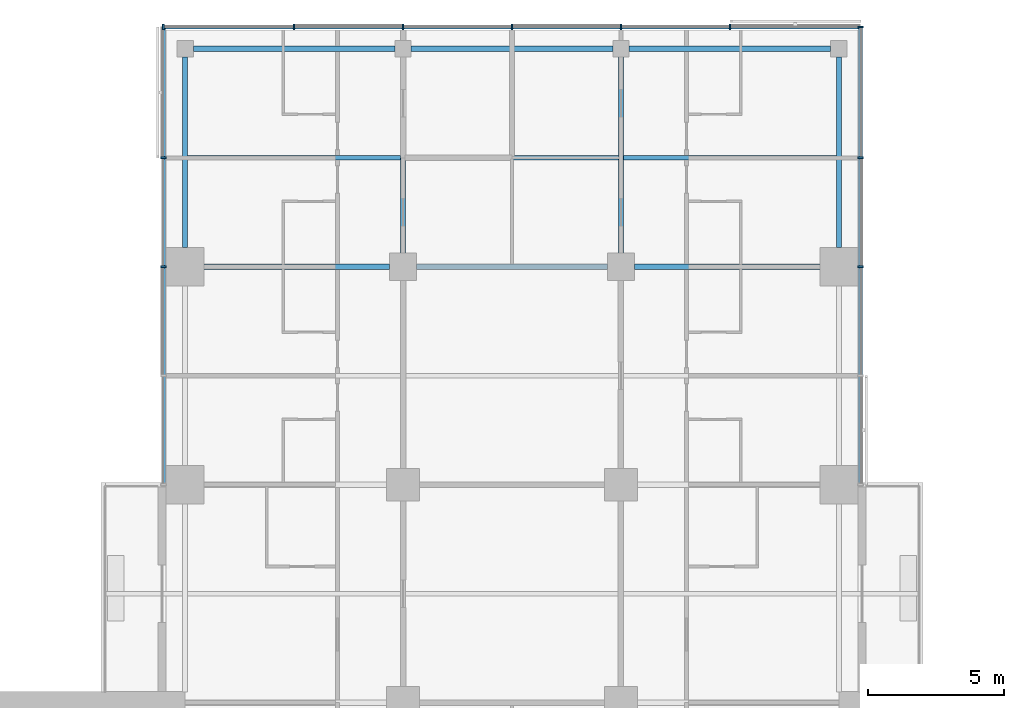
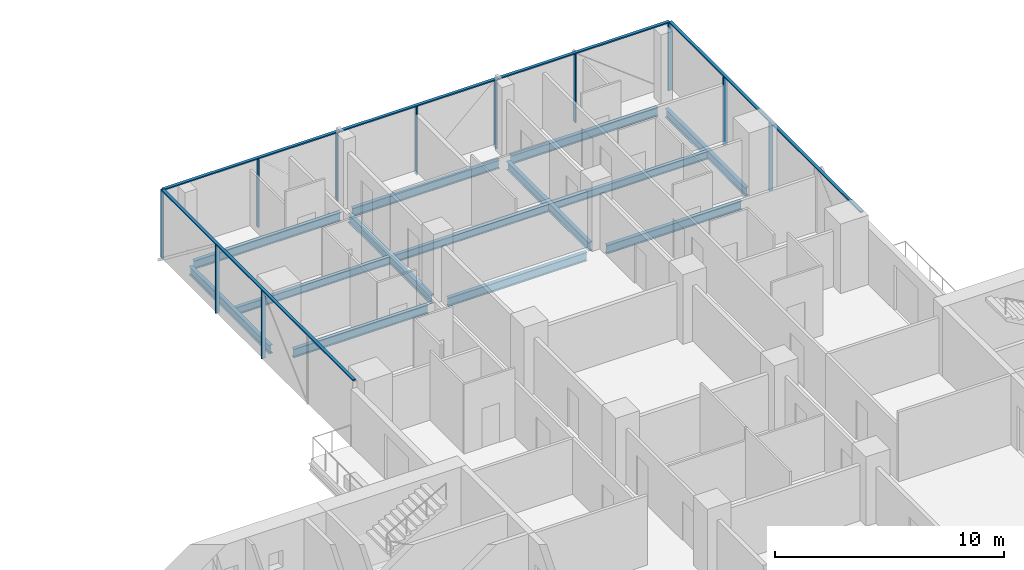
# One storey, part 12 of 29: 14 members, 13 beams, 3 elements without a shape of their own.
"""IFC4 building model written with IfcOpenShell, lengths in metres."""

from ifc_helpers import new_model, si_unit, direction, frame, origin, origin_2d, place, context, subcontext, project, spatial, rectangle, i_section, extrude, material, material_profile, profile_set, type_object, element, aggregate, save


model = new_model("IFC4")

# Units and contexts
model_context = context("Model", 3, precision=1e-05, world=origin(), true_north=direction((0.0, 1.0)))
body_context = subcontext(model_context, "Body", "Model", "MODEL_VIEW")
ifc_project = project(units=[si_unit("LENGTHUNIT", "METRE"), si_unit("AREAUNIT", "SQUARE_METRE"), si_unit("VOLUMEUNIT", "CUBIC_METRE"), si_unit("PLANEANGLEUNIT", "RADIAN"), si_unit("MASSUNIT", "GRAM", prefix="KILO")], contexts=[model_context])

# Site, building, storey
site_placement = place(None, origin())
site = spatial("IfcSite", under=ifc_project, at=site_placement, CompositionType="ELEMENT")
building_placement = place(site_placement, origin())
building = spatial("IfcBuilding", under=site, at=building_placement, Name="Crosswind Convention Tower", CompositionType="ELEMENT")
storey_placement = place(building_placement, frame((0.0, 0.0, 60.89990234375)))
storey = spatial("IfcBuildingStorey", under=building, at=storey_placement, Name="L09", CompositionType="ELEMENT", Elevation=60.89990234375)

# Beams
ifc_material_1 = material(Name="Steel S355", Category="steel")
ifc_material_profile_1 = material_profile(ifc_material_1, i_section(OverallWidth=0.1904296875, OverallDepth=0.457275390625, WebThickness=0.009033203125, FlangeThickness=0.014404296875, FilletRadius=0.01025390625, at=origin_2d()), Name="UB 457x191x75")
ifc_profile_set_1 = profile_set([ifc_material_profile_1], Name="Steel S355")
beam_type_1 = type_object("IfcBeamType", Name="Edge beam UB 457x191x75", PredefinedType="SPANDREL", material=ifc_profile_set_1)
beam_1_placement = place(storey_placement, frame((113.0, 128.699951171875, -0.508544921875), z_axis=(0.0, 1.0, 0.0), x_axis=(-1.0, 0.0, 0.0)))
element("IfcBeam", 1, at=beam_1_placement, inside=storey, type_object=beam_type_1, Name="B17 L09 edge beam 11", PredefinedType="SPANDREL", context=body_context, shape_type="SweptSolid", body=[
    extrude(i_section(OverallWidth=0.1904296875, OverallDepth=0.457275390625, WebThickness=0.009033203125, FlangeThickness=0.014404296875, FilletRadius=0.01025390625, at=origin_2d()), origin(), (0.0, 0.0, 1.0), 7.0),
])
for number, where, z_axis, x_axis, name in (
    (2, (113.300048828125, 136.0, -0.508544921875), (1.0, 0.0, 0.0), (0.0, 1.0, 0.0), "B17 L09 edge beam 13"),
    (3, (121.300048828125, 136.0, -0.508544921875), (1.0, 0.0, 0.0), (0.0, 1.0, 0.0), "B17 L09 edge beam 15"),
    (4, (129.300048828125, 136.0, -0.508544921875), (1.0, 0.0, 0.0), (0.0, 1.0, 0.0), "B17 L09 edge beam 17"),
):
    element("IfcBeam", number, at=place(storey_placement, frame(where, z_axis=z_axis, x_axis=x_axis)), inside=storey, type_object=beam_type_1, Name=name, PredefinedType="SPANDREL", context=body_context, shape_type="SweptSolid", body=[
        extrude(i_section(OverallWidth=0.1904296875, OverallDepth=0.457275390625, WebThickness=0.009033203125, FlangeThickness=0.014404296875, FilletRadius=0.01025390625, at=origin_2d()), origin(), (0.0, 0.0, 1.0), 7.39990234375),
    ])
beam_2_placement = place(storey_placement, frame((137.0, 128.699951171875, -0.508544921875), z_axis=(0.0, 1.0, 0.0), x_axis=(-1.0, 0.0, 0.0)))
element("IfcBeam", 5, at=beam_2_placement, inside=storey, type_object=beam_type_1, Name="B17 L09 edge beam 23", PredefinedType="SPANDREL", context=body_context, shape_type="SweptSolid", body=[
    extrude(i_section(OverallWidth=0.1904296875, OverallDepth=0.457275390625, WebThickness=0.009033203125, FlangeThickness=0.014404296875, FilletRadius=0.01025390625, at=origin_2d()), origin(), (0.0, 0.0, 1.0), 7.0),
])
ifc_material_profile_2 = material_profile(ifc_material_1, i_section(OverallWidth=0.19140625, OverallDepth=0.460205078125, WebThickness=0.010009765625, FlangeThickness=0.01611328125, FilletRadius=0.01025390625, at=origin_2d()), Name="UB 457x191x82")
ifc_profile_set_2 = profile_set([ifc_material_profile_2], Name="Steel S355")
beam_type_2 = type_object("IfcBeamType", Name="Girder UB 457x191x82", PredefinedType="BEAM", material=ifc_profile_set_2)
beam_3_placement = place(storey_placement, frame((113.699951171875, 128.0, -0.510009765625), z_axis=(1.0, 0.0, 0.0), x_axis=(0.0, 1.0, 0.0)))
element("IfcBeam", 6, at=beam_3_placement, inside=storey, type_object=beam_type_2, Name="B3 L09 girder 4", PredefinedType="BEAM", context=body_context, shape_type="SweptSolid", body=[
    extrude(i_section(OverallWidth=0.19140625, OverallDepth=0.460205078125, WebThickness=0.010009765625, FlangeThickness=0.01611328125, FilletRadius=0.01025390625, at=origin_2d()), origin(), (0.0, 0.0, 1.0), 6.800048828125),
])
beam_4_placement = place(storey_placement, frame((121.0, 128.5, -0.510009765625), z_axis=(0.0, 1.0, 0.0), x_axis=(-1.0, 0.0, 0.0)))
element("IfcBeam", 7, at=beam_4_placement, inside=storey, type_object=beam_type_2, Name="B3 L09 girder 13", PredefinedType="BEAM", context=body_context, shape_type="SweptSolid", body=[
    extrude(i_section(OverallWidth=0.19140625, OverallDepth=0.460205078125, WebThickness=0.010009765625, FlangeThickness=0.01611328125, FilletRadius=0.01025390625, at=origin_2d()), origin(), (0.0, 0.0, 1.0), 7.199951171875),
])
beam_5_placement = place(storey_placement, frame((121.5, 128.0, -0.510009765625), z_axis=(1.0, 0.0, 0.0), x_axis=(0.0, 1.0, 0.0)))
element("IfcBeam", 8, at=beam_5_placement, inside=storey, type_object=beam_type_2, Name="B3 L09 girder 15", PredefinedType="BEAM", context=body_context, shape_type="SweptSolid", body=[
    extrude(i_section(OverallWidth=0.19140625, OverallDepth=0.460205078125, WebThickness=0.010009765625, FlangeThickness=0.01611328125, FilletRadius=0.01025390625, at=origin_2d()), origin(), (0.0, 0.0, 1.0), 7.0),
])
beam_6_placement = place(storey_placement, frame((129.0, 128.5, -0.510009765625), z_axis=(0.0, 1.0, 0.0), x_axis=(-1.0, 0.0, 0.0)))
element("IfcBeam", 9, at=beam_6_placement, inside=storey, type_object=beam_type_2, Name="B3 L09 girder 30", PredefinedType="BEAM", context=body_context, shape_type="SweptSolid", body=[
    extrude(i_section(OverallWidth=0.19140625, OverallDepth=0.460205078125, WebThickness=0.010009765625, FlangeThickness=0.01611328125, FilletRadius=0.01025390625, at=origin_2d()), origin(), (0.0, 0.0, 1.0), 7.199951171875),
])
beam_7_placement = place(storey_placement, frame((129.5, 128.0, -0.510009765625), z_axis=(1.0, 0.0, 0.0), x_axis=(0.0, 1.0, 0.0)))
element("IfcBeam", 10, at=beam_7_placement, inside=storey, type_object=beam_type_2, Name="B3 L09 girder 32", PredefinedType="BEAM", context=body_context, shape_type="SweptSolid", body=[
    extrude(i_section(OverallWidth=0.19140625, OverallDepth=0.460205078125, WebThickness=0.010009765625, FlangeThickness=0.01611328125, FilletRadius=0.01025390625, at=origin_2d()), origin(), (0.0, 0.0, 1.0), 6.800048828125),
])

# Curtain wall, members
ifc_material_2 = material(Name="Aluminium unitised curtain wall", Category="aluminium")
curtain_wall_type = type_object("IfcCurtainWallType", Name="HOTEL UNITISED WALL 200", PredefinedType="USERDEFINED", material=ifc_material_2)
curtain_wall_1_placement = place(storey_placement, origin())
curtain_wall_1 = element("IfcCurtainWall", 11, at=curtain_wall_1_placement, inside=storey, type_object=curtain_wall_type, Name="CW2 L09 N-E 1", ObjectType="UNITISED", PredefinedType="USERDEFINED")
ifc_material_3 = material(Name="Aluminium mullion", Category="aluminium")
ifc_material_profile_3 = material_profile(ifc_material_3, rectangle(XDim=0.199951171875, YDim=0.06494140625, at=origin_2d()), Name="AL 200X65")
ifc_profile_set_3 = profile_set([ifc_material_profile_3], Name="Aluminium mullion")
member_type_1 = type_object("IfcMemberType", Name="MULLION 65X200", PredefinedType="MULLION", material=ifc_profile_set_3)
member_1_placement = place(storey_placement, frame((137.800048828125, 128.0, -0.27978515625), z_axis=(0.0, 0.0, 1.0), x_axis=(1.0, 0.0, 0.0)))
member_1 = element("IfcMember", 12, at=member_1_placement, type_object=member_type_1, Name="CW2 mullion 3", PredefinedType="MULLION", context=body_context, shape_type="SweptSolid", body=[
    extrude(rectangle(XDim=0.199951171875, YDim=0.06494140625, at=origin_2d()), origin(), (0.0, 0.0, 1.0), 3.634765625),
])
member_2_placement = place(storey_placement, frame((137.800048828125, 132.0, -0.27978515625), z_axis=(0.0, 0.0, 1.0), x_axis=(1.0, 0.0, 0.0)))
member_2 = element("IfcMember", 13, at=member_2_placement, type_object=member_type_1, Name="CW2 mullion 4", PredefinedType="MULLION", context=body_context, shape_type="SweptSolid", body=[
    extrude(rectangle(XDim=0.199951171875, YDim=0.06494140625, at=origin_2d()), origin(), (0.0, 0.0, 1.0), 3.634765625),
])
member_3_placement = place(storey_placement, frame((137.800048828125, 136.800048828125, -0.27978515625), z_axis=(0.0, 0.0, 1.0), x_axis=(1.0, 0.0, 0.0)))
member_3 = element("IfcMember", 14, at=member_3_placement, type_object=member_type_1, Name="CW2 mullion 5", PredefinedType="MULLION", context=body_context, shape_type="SweptSolid", body=[
    extrude(rectangle(XDim=0.199951171875, YDim=0.06494140625, at=origin_2d()), origin(), (0.0, 0.0, 1.0), 3.634765625),
])

curtain_wall_2_placement = place(storey_placement, origin())
curtain_wall_2 = element("IfcCurtainWall", 15, at=curtain_wall_2_placement, inside=storey, type_object=curtain_wall_type, Name="CW2 L09 N-TIP 1", ObjectType="UNITISED", PredefinedType="USERDEFINED")
member_4_placement = place(storey_placement, frame((133.0, 136.800048828125, -0.27978515625), z_axis=(0.0, 0.0, 1.0), x_axis=(0.0, 1.0, 0.0)))
member_4 = element("IfcMember", 16, at=member_4_placement, type_object=member_type_1, Name="CW2 mullion 2", PredefinedType="MULLION", context=body_context, shape_type="SweptSolid", body=[
    extrude(rectangle(XDim=0.199951171875, YDim=0.06494140625, at=origin_2d()), origin(), (0.0, 0.0, 1.0), 3.634765625),
])
member_5_placement = place(storey_placement, frame((129.0, 136.800048828125, -0.27978515625), z_axis=(0.0, 0.0, 1.0), x_axis=(0.0, 1.0, 0.0)))
member_5 = element("IfcMember", 17, at=member_5_placement, type_object=member_type_1, Name="CW2 mullion 3", PredefinedType="MULLION", context=body_context, shape_type="SweptSolid", body=[
    extrude(rectangle(XDim=0.199951171875, YDim=0.06494140625, at=origin_2d()), origin(), (0.0, 0.0, 1.0), 3.634765625),
])
member_6_placement = place(storey_placement, frame((125.0, 136.800048828125, -0.27978515625), z_axis=(0.0, 0.0, 1.0), x_axis=(0.0, 1.0, 0.0)))
member_6 = element("IfcMember", 18, at=member_6_placement, type_object=member_type_1, Name="CW2 mullion 4", PredefinedType="MULLION", context=body_context, shape_type="SweptSolid", body=[
    extrude(rectangle(XDim=0.199951171875, YDim=0.06494140625, at=origin_2d()), origin(), (0.0, 0.0, 1.0), 3.634765625),
])
member_7_placement = place(storey_placement, frame((121.0, 136.800048828125, -0.27978515625), z_axis=(0.0, 0.0, 1.0), x_axis=(0.0, 1.0, 0.0)))
member_7 = element("IfcMember", 19, at=member_7_placement, type_object=member_type_1, Name="CW2 mullion 5", PredefinedType="MULLION", context=body_context, shape_type="SweptSolid", body=[
    extrude(rectangle(XDim=0.199951171875, YDim=0.06494140625, at=origin_2d()), origin(), (0.0, 0.0, 1.0), 3.634765625),
])
member_8_placement = place(storey_placement, frame((117.0, 136.800048828125, -0.27978515625), z_axis=(0.0, 0.0, 1.0), x_axis=(0.0, 1.0, 0.0)))
member_8 = element("IfcMember", 20, at=member_8_placement, type_object=member_type_1, Name="CW2 mullion 6", PredefinedType="MULLION", context=body_context, shape_type="SweptSolid", body=[
    extrude(rectangle(XDim=0.199951171875, YDim=0.06494140625, at=origin_2d()), origin(), (0.0, 0.0, 1.0), 3.634765625),
])
member_9_placement = place(storey_placement, frame((112.199951171875, 136.800048828125, -0.27978515625), z_axis=(0.0, 0.0, 1.0), x_axis=(0.0, 1.0, 0.0)))
member_9 = element("IfcMember", 21, at=member_9_placement, type_object=member_type_1, Name="CW2 mullion 7", PredefinedType="MULLION", context=body_context, shape_type="SweptSolid", body=[
    extrude(rectangle(XDim=0.199951171875, YDim=0.06494140625, at=origin_2d()), origin(), (0.0, 0.0, 1.0), 3.634765625),
])

curtain_wall_3_placement = place(storey_placement, origin())
curtain_wall_3 = element("IfcCurtainWall", 22, at=curtain_wall_3_placement, inside=storey, type_object=curtain_wall_type, Name="CW2 L09 N-W 1", ObjectType="UNITISED", PredefinedType="USERDEFINED")
member_10_placement = place(storey_placement, frame((112.199951171875, 132.0, -0.27978515625), z_axis=(0.0, 0.0, 1.0), x_axis=(-1.0, 0.0, 0.0)))
member_10 = element("IfcMember", 23, at=member_10_placement, type_object=member_type_1, Name="CW2 mullion 2", PredefinedType="MULLION", context=body_context, shape_type="SweptSolid", body=[
    extrude(rectangle(XDim=0.199951171875, YDim=0.06494140625, at=origin_2d()), origin(), (0.0, 0.0, 1.0), 3.634765625),
])
member_11_placement = place(storey_placement, frame((112.199951171875, 128.0, -0.27978515625), z_axis=(0.0, 0.0, 1.0), x_axis=(-1.0, 0.0, 0.0)))
member_11 = element("IfcMember", 24, at=member_11_placement, type_object=member_type_1, Name="CW2 mullion 3", PredefinedType="MULLION", context=body_context, shape_type="SweptSolid", body=[
    extrude(rectangle(XDim=0.199951171875, YDim=0.06494140625, at=origin_2d()), origin(), (0.0, 0.0, 1.0), 3.634765625),
])

# Beams
ifc_material_profile_4 = material_profile(ifc_material_1, i_section(OverallWidth=0.177734375, OverallDepth=0.406494140625, WebThickness=0.0078125, FlangeThickness=0.0126953125, FilletRadius=0.01025390625, at=origin_2d()), Name="UB 406x178x60")
ifc_profile_set_4 = profile_set([ifc_material_profile_4], Name="Steel S355")
beam_type_3 = type_object("IfcBeamType", Name="Secondary beam UB 406x178x60", PredefinedType="JOIST", material=ifc_profile_set_4)
beam_8_placement = place(storey_placement, frame((113.09521484375, 132.0, -0.483154296875), z_axis=(1.0, 0.0, 0.0), x_axis=(0.0, 1.0, 0.0)))
element("IfcBeam", 25, at=beam_8_placement, inside=storey, type_object=beam_type_3, Name="B10 L09 secondary beam 12", PredefinedType="JOIST", context=body_context, shape_type="SweptSolid", body=[
    extrude(i_section(OverallWidth=0.177734375, OverallDepth=0.406494140625, WebThickness=0.0078125, FlangeThickness=0.0126953125, FilletRadius=0.01025390625, at=origin_2d()), origin(), (0.0, 0.0, 1.0), 7.80908203125),
])
beam_9_placement = place(storey_placement, frame((121.095703125, 132.0, -0.483154296875), z_axis=(1.0, 0.0, 0.0), x_axis=(0.0, 1.0, 0.0)))
element("IfcBeam", 26, at=beam_9_placement, inside=storey, type_object=beam_type_3, Name="B10 L09 secondary beam 21", PredefinedType="JOIST", context=body_context, shape_type="SweptSolid", body=[
    extrude(i_section(OverallWidth=0.177734375, OverallDepth=0.406494140625, WebThickness=0.0078125, FlangeThickness=0.0126953125, FilletRadius=0.01025390625, at=origin_2d()), origin(), (0.0, 0.0, 1.0), 7.80859375),
])
beam_10_placement = place(storey_placement, frame((129.095703125, 132.0, -0.483154296875), z_axis=(1.0, 0.0, 0.0), x_axis=(0.0, 1.0, 0.0)))
element("IfcBeam", 27, at=beam_10_placement, inside=storey, type_object=beam_type_3, Name="B10 L09 secondary beam 30", PredefinedType="JOIST", context=body_context, shape_type="SweptSolid", body=[
    extrude(i_section(OverallWidth=0.177734375, OverallDepth=0.406494140625, WebThickness=0.0078125, FlangeThickness=0.0126953125, FilletRadius=0.01025390625, at=origin_2d()), origin(), (0.0, 0.0, 1.0), 7.80908203125),
])

# Member
ifc_material_4 = material(Name="Aluminium transom", Category="aluminium")
ifc_material_profile_5 = material_profile(ifc_material_4, rectangle(XDim=0.14990234375, YDim=0.06494140625, at=origin_2d()), Name="AL 150X65")
ifc_profile_set_5 = profile_set([ifc_material_profile_5], Name="Aluminium transom")
member_type_2 = type_object("IfcMemberType", Name="TRANSOM 65X150", PredefinedType="USERDEFINED", material=ifc_profile_set_5)
member_12_placement = place(storey_placement, frame((137.800048828125, 120.032470703125, 3.3876953125), z_axis=(0.0, 1.0, 0.0), x_axis=(-1.0, 0.0, 0.0)))
member_12 = element("IfcMember", 28, at=member_12_placement, type_object=member_type_2, Name="CW2 transom", ObjectType="TRANSOM", PredefinedType="USERDEFINED", context=body_context, shape_type="SweptSolid", body=[
    extrude(rectangle(XDim=0.14990234375, YDim=0.06494140625, at=origin_2d()), origin(), (0.0, 0.0, 1.0), 16.735107421875),
])

aggregate(curtain_wall_1, [member_1, member_2, member_3, member_12])

member_13_placement = place(storey_placement, frame((137.767578125, 136.800048828125, 3.3876953125), z_axis=(-1.0, 0.0, 0.0), x_axis=(0.0, -1.0, 0.0)))
member_13 = element("IfcMember", 29, at=member_13_placement, type_object=member_type_2, Name="CW2 transom", ObjectType="TRANSOM", PredefinedType="USERDEFINED", context=body_context, shape_type="SweptSolid", body=[
    extrude(rectangle(XDim=0.14990234375, YDim=0.06494140625, at=origin_2d()), origin(), (0.0, 0.0, 1.0), 25.53515625),
])

aggregate(curtain_wall_2, [member_4, member_5, member_6, member_7, member_8, member_9, member_13])

member_14_placement = place(storey_placement, frame((112.199951171875, 136.767578125, 3.3876953125), z_axis=(0.0, -1.0, 0.0), x_axis=(1.0, 0.0, 0.0)))
member_14 = element("IfcMember", 30, at=member_14_placement, type_object=member_type_2, Name="CW2 transom", ObjectType="TRANSOM", PredefinedType="USERDEFINED", context=body_context, shape_type="SweptSolid", body=[
    extrude(rectangle(XDim=0.14990234375, YDim=0.06494140625, at=origin_2d()), origin(), (0.0, 0.0, 1.0), 16.735107421875),
])

aggregate(curtain_wall_3, [member_10, member_11, member_14])

save(model, "model.ifc")
